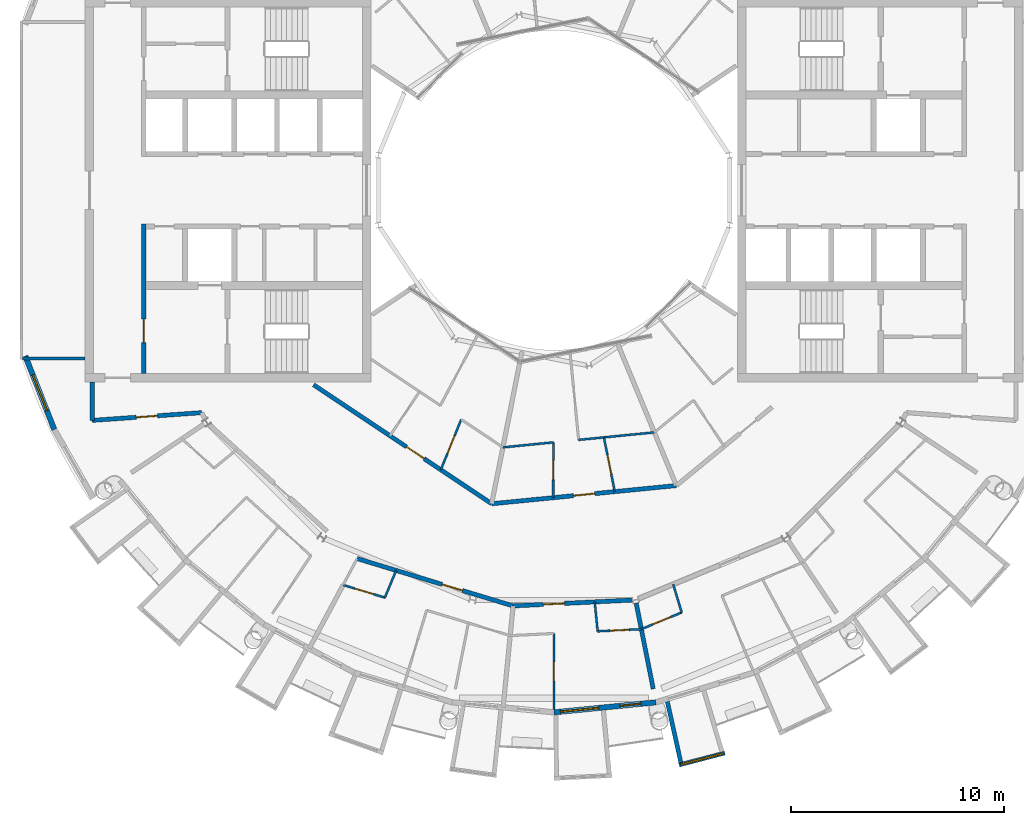
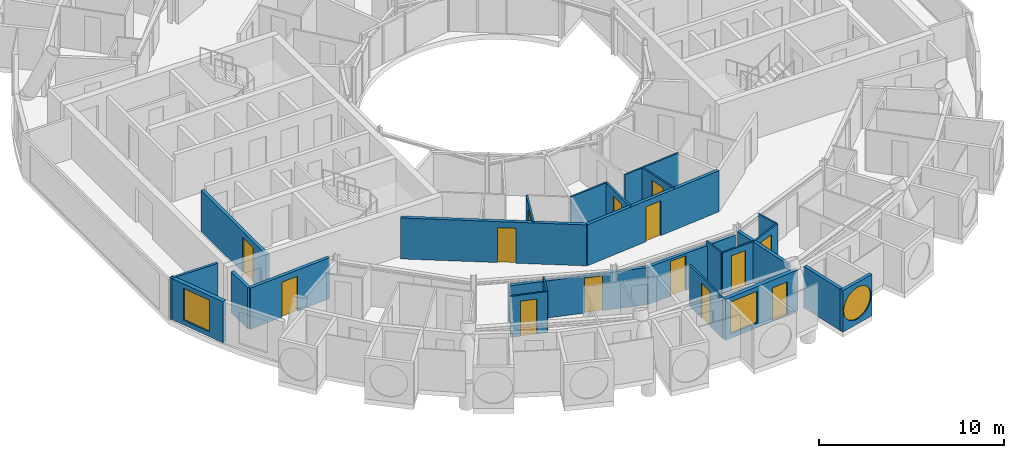
# One storey, part 15 of 27: 25 walls, 14 doors, 3 windows, 17 openings.
"""IFC4 building model written with IfcOpenShell, lengths in metres."""

from ifc_helpers import new_model, si_unit, direction, frame, frame_2d, origin, place, context, subcontext, project, spatial, rectangle, circle, extrude, material, layer, layer_set, type_object, element, fill, save


model = new_model("IFC4")

# Units and contexts
model_context = context("Model", 3, precision=1e-05, world=origin(), true_north=direction((0.0, 1.0)))
body_context = subcontext(model_context, "Body", "Model", "MODEL_VIEW")
ifc_project = project(units=[si_unit("LENGTHUNIT", "METRE"), si_unit("AREAUNIT", "SQUARE_METRE"), si_unit("VOLUMEUNIT", "CUBIC_METRE"), si_unit("PLANEANGLEUNIT", "RADIAN"), si_unit("MASSUNIT", "GRAM", prefix="KILO")], contexts=[model_context])

# Site, building, storey
site_placement = place(None, origin())
site = spatial("IfcSite", under=ifc_project, at=site_placement, CompositionType="ELEMENT")
building_placement = place(site_placement, origin())
building = spatial("IfcBuilding", under=site, at=building_placement, Name="Maasbend Ring Residences", CompositionType="ELEMENT")
storey_placement = place(building_placement, frame((0.0, 0.0, 243.199951171875)))
storey = spatial("IfcBuildingStorey", under=building, at=storey_placement, Name="L70", CompositionType="ELEMENT", Elevation=243.199951171875)

# Wall, opening, door
ifc_material_1 = material(Name="Concrete C30/37", Category="concrete")
ifc_layer_1 = layer(ifc_material_1, 0.199951171875)
ifc_layer_set_1 = layer_set([ifc_layer_1], Name="Concrete C30/37")
wall_type_1 = type_object("IfcWallType", Name="CORRIDOR WALL 200 CONCRETE", PredefinedType="PARTITIONING", material=ifc_layer_set_1)
wall_1_placement = place(storey_placement, frame((-1.9208984375, -19.506103515625, 0.0), z_axis=(0.0, 0.0, 1.0), x_axis=(0.998783562084, 0.049309188909, 0.0)))
wall_1 = element("IfcWall", 1, at=wall_1_placement, inside=storey, type_object=wall_type_1, Name="U-L70-w015", PredefinedType="PARTITIONING", context=body_context, shape_type="SweptSolid", body=[
    extrude(rectangle(XDim=5.599853515625, YDim=0.199951171875, at=frame_2d((2.7998046875, 0.0))), origin(), (0.0, 0.0, 1.0), 2.449951171875),
])
opening_1_placement = place(wall_1_placement, frame((1.4169921875, 0.0, 0.0)))
opening_1 = element("IfcOpeningElement", 2, at=opening_1_placement, cuts=wall_1, Name="Opening D-7041", PredefinedType="OPENING", context=body_context, shape_type="SweptSolid", body=[
    extrude(rectangle(XDim=1.0, YDim=2.300048828125, at=frame_2d((0.5, 1.14990234375))), frame((0.0, 0.10986328125, 0.0), z_axis=(0.0, -1.0, 0.0), x_axis=(1.0, 0.0, 0.0)), (0.0, 0.0, 1.0), 0.219970703125),
])
ifc_material_2 = material(Name="Timber, fire-rated, painted", Category="wood")
door_type_1 = type_object("IfcDoorType", Name="FLAT ENTRANCE DOOR 1000 X 2300 FIRE-RATED", OperationType="NOTDEFINED", PredefinedType="DOOR", material=ifc_material_2)
door_1_placement = place(opening_1_placement, origin())
door_1 = element("IfcDoor", 3, at=door_1_placement, inside=storey, type_object=door_type_1, Name="D-7041", OperationType="SINGLE_SWING_LEFT", OverallHeight=2.300048828125, OverallWidth=1.0, PredefinedType="DOOR", context=body_context, shape_type="SweptSolid", body=[
    extrude(rectangle(XDim=1.0, YDim=2.300048828125, at=frame_2d((0.5, 1.14990234375))), frame((0.0, 0.02490234375, 0.0), z_axis=(0.0, -1.0, 0.0), x_axis=(1.0, 0.0, 0.0)), (0.0, 0.0, 1.0), 0.050048828125),
])
fill(opening_1, door_1)

wall_2_placement = place(storey_placement, frame((-9.239013671875, -17.285888671875, 0.0), z_axis=(0.0, 0.0, 1.0), x_axis=(0.956929842753, -0.290319265721, 0.0)))
wall_2 = element("IfcWall", 4, at=wall_2_placement, inside=storey, type_object=wall_type_1, Name="U-L70-w016", PredefinedType="PARTITIONING", context=body_context, shape_type="SweptSolid", body=[
    extrude(rectangle(XDim=7.6474609375, YDim=0.199951171875, at=frame_2d((3.82373046875, 0.0))), origin(), (0.0, 0.0, 1.0), 2.449951171875),
])
opening_2_placement = place(wall_2_placement, frame((4.160888671875, 0.0, 0.0)))
opening_2 = element("IfcOpeningElement", 5, at=opening_2_placement, cuts=wall_2, Name="Opening D-7037", PredefinedType="OPENING", context=body_context, shape_type="SweptSolid", body=[
    extrude(rectangle(XDim=1.0, YDim=2.300048828125, at=frame_2d((0.5, 1.14990234375))), frame((0.0, 0.10986328125, 0.0), z_axis=(0.0, -1.0, 0.0), x_axis=(1.0, 0.0, 0.0)), (0.0, 0.0, 1.0), 0.219970703125),
])
door_2_placement = place(opening_2_placement, origin())
door_2 = element("IfcDoor", 6, at=door_2_placement, inside=storey, type_object=door_type_1, Name="D-7037", OperationType="SINGLE_SWING_RIGHT", OverallHeight=2.300048828125, OverallWidth=1.0, PredefinedType="DOOR", context=body_context, shape_type="SweptSolid", body=[
    extrude(rectangle(XDim=1.0, YDim=2.300048828125, at=frame_2d((0.5, 1.14990234375))), frame((0.0, 0.02490234375, 0.0), z_axis=(0.0, -1.0, 0.0), x_axis=(1.0, 0.0, 0.0)), (0.0, 0.0, 1.0), 0.050048828125),
])
fill(opening_2, door_2)

wall_3_placement = place(storey_placement, frame((-2.926025390625, -14.712890625, 0.0), z_axis=(0.0, 0.0, 1.0), x_axis=(0.995168443337, 0.098182327264, 0.0)))
wall_3 = element("IfcWall", 7, at=wall_3_placement, inside=storey, type_object=wall_type_1, Name="U-L70-w020", PredefinedType="PARTITIONING", context=body_context, shape_type="SweptSolid", body=[
    extrude(rectangle(XDim=8.7080078125, YDim=0.199951171875, at=frame_2d((4.35400390625, 0.0))), origin(), (0.0, 0.0, 1.0), 2.699951171875),
])
opening_3_placement = place(wall_3_placement, frame((3.85595703125, 0.0, 0.0)))
opening_3 = element("IfcOpeningElement", 8, at=opening_3_placement, cuts=wall_3, Name="Opening D-7056", PredefinedType="OPENING", context=body_context, shape_type="SweptSolid", body=[
    extrude(rectangle(XDim=1.0, YDim=2.300048828125, at=frame_2d((0.5, 1.14990234375))), frame((0.0, 0.10986328125, 0.0), z_axis=(0.0, -1.0, 0.0), x_axis=(1.0, 0.0, 0.0)), (0.0, 0.0, 1.0), 0.219970703125),
])
door_3_placement = place(opening_3_placement, origin())
door_3 = element("IfcDoor", 9, at=door_3_placement, inside=storey, type_object=door_type_1, Name="D-7056", OperationType="SINGLE_SWING_RIGHT", OverallHeight=2.300048828125, OverallWidth=1.0, PredefinedType="DOOR", context=body_context, shape_type="SweptSolid", body=[
    extrude(rectangle(XDim=1.0, YDim=2.300048828125, at=frame_2d((0.5, 1.14990234375))), frame((0.0, 0.02490234375, 0.0), z_axis=(0.0, -1.0, 0.0), x_axis=(1.0, 0.0, 0.0)), (0.0, 0.0, 1.0), 0.050048828125),
])
fill(opening_3, door_3)

wall_4_placement = place(storey_placement, frame((-11.279052734375, -9.131103515625, 0.0), z_axis=(0.0, 0.0, 1.0), x_axis=(0.831522779461, -0.555490654501, 0.0)))
wall_4 = element("IfcWall", 10, at=wall_4_placement, inside=storey, type_object=wall_type_1, Name="U-L70-w022", PredefinedType="PARTITIONING", context=body_context, shape_type="SweptSolid", body=[
    extrude(rectangle(XDim=10.046630859375, YDim=0.199951171875, at=frame_2d((5.0234375, 0.0))), origin(), (0.0, 0.0, 1.0), 2.699951171875),
])
opening_4_placement = place(wall_4_placement, frame((5.239013671875, 0.0, 0.0)))
opening_4 = element("IfcOpeningElement", 11, at=opening_4_placement, cuts=wall_4, Name="Opening D-7052", PredefinedType="OPENING", context=body_context, shape_type="SweptSolid", body=[
    extrude(rectangle(XDim=1.0, YDim=2.300048828125, at=frame_2d((0.5, 1.14990234375))), frame((0.0, 0.10986328125, 0.0), z_axis=(0.0, -1.0, 0.0), x_axis=(1.0, 0.0, 0.0)), (0.0, 0.0, 1.0), 0.219970703125),
])
door_4_placement = place(opening_4_placement, origin())
door_4 = element("IfcDoor", 12, at=door_4_placement, inside=storey, type_object=door_type_1, Name="D-7052", OperationType="SINGLE_SWING_RIGHT", OverallHeight=2.300048828125, OverallWidth=1.0, PredefinedType="DOOR", context=body_context, shape_type="SweptSolid", body=[
    extrude(rectangle(XDim=1.0, YDim=2.300048828125, at=frame_2d((0.5, 1.14990234375))), frame((0.0, 0.02490234375, 0.0), z_axis=(0.0, -1.0, 0.0), x_axis=(1.0, 0.0, 0.0)), (0.0, 0.0, 1.0), 0.050048828125),
])
fill(opening_4, door_4)

wall_5_placement = place(storey_placement, frame((-21.675048828125, -10.800048828125, 0.0), z_axis=(0.0, 0.0, 1.0), x_axis=(0.997515141784, 0.070452408845, 0.0)))
wall_5 = element("IfcWall", 13, at=wall_5_placement, inside=storey, type_object=wall_type_1, Name="U-L70-w029", PredefinedType="PARTITIONING", context=body_context, shape_type="SweptSolid", body=[
    extrude(rectangle(XDim=5.15283203125, YDim=0.199951171875, at=frame_2d((2.576416015625, 0.0))), origin(), (0.0, 0.0, 1.0), 2.699951171875),
])
opening_5_placement = place(wall_5_placement, frame((2.075927734375, 0.0, 0.0)))
opening_5 = element("IfcOpeningElement", 14, at=opening_5_placement, cuts=wall_5, Name="Opening D-7063", PredefinedType="OPENING", context=body_context, shape_type="SweptSolid", body=[
    extrude(rectangle(XDim=1.0, YDim=2.300048828125, at=frame_2d((0.5, 1.14990234375))), frame((0.0, 0.10986328125, 0.0), z_axis=(0.0, -1.0, 0.0), x_axis=(1.0, 0.0, 0.0)), (0.0, 0.0, 1.0), 0.219970703125),
])
ifc_material_3 = material(Name="Timber, painted", Category="wood")
door_type_2 = type_object("IfcDoorType", Name="ROOM DOOR 1000 X 2300", OperationType="NOTDEFINED", PredefinedType="DOOR", material=ifc_material_3)
door_5_placement = place(opening_5_placement, origin())
door_5 = element("IfcDoor", 15, at=door_5_placement, inside=storey, type_object=door_type_2, Name="D-7063", OperationType="SINGLE_SWING_RIGHT", OverallHeight=2.300048828125, OverallWidth=1.0, PredefinedType="DOOR", context=body_context, shape_type="SweptSolid", body=[
    extrude(rectangle(XDim=1.0, YDim=2.300048828125, at=frame_2d((0.5, 1.14990234375))), frame((0.0, 0.02490234375, 0.0), z_axis=(0.0, -1.0, 0.0), x_axis=(1.0, 0.0, 0.0)), (0.0, 0.0, 1.0), 0.050048828125),
])
fill(opening_5, door_5)

# Wall
wall_6_placement = place(storey_placement, frame((-21.675048828125, -10.800048828125, 0.0), z_axis=(0.0, 0.0, 1.0), x_axis=(0.0, 1.0, 0.0)))
element("IfcWall", 16, at=wall_6_placement, inside=storey, type_object=wall_type_1, Name="U-L70-w125", PredefinedType="PARTITIONING", context=body_context, shape_type="SweptSolid", body=[
    extrude(rectangle(XDim=1.800048828125, YDim=0.199951171875, at=frame_2d((0.89990234375, 0.0))), origin(), (0.0, 0.0, 1.0), 2.699951171875),
])

# Wall, opening, window
ifc_material_4 = material(Name="Pale anodised aluminium panel", Category="aluminium")
ifc_layer_2 = layer(ifc_material_4, 0.199951171875)
ifc_layer_set_2 = layer_set([ifc_layer_2], Name="EW-BOX")
wall_type_2 = type_object("IfcWallType", Name="EW-BOX", PredefinedType="SOLIDWALL", material=ifc_layer_set_2)
wall_7_placement = place(storey_placement, frame((5.865966796875, -26.969970703125, -0.030029296875), z_axis=(0.0, 0.0, 1.0), x_axis=(0.967710555359, 0.252064041557, 0.0)))
wall_7 = element("IfcWall", 17, at=wall_7_placement, inside=storey, type_object=wall_type_2, Name="Box front S13", PredefinedType="SOLIDWALL", context=body_context, shape_type="SweptSolid", body=[
    extrude(rectangle(XDim=2.221923828125, YDim=0.199951171875, at=frame_2d((1.11083984375, 0.0))), origin(), (0.0, 0.0, 1.0), 2.72998046875),
])
opening_6_placement = place(wall_7_placement, frame((0.070556640625, 0.0, 0.330078125)))
opening_6 = element("IfcOpeningElement", 18, at=opening_6_placement, cuts=wall_7, Name="Opening W-RD", PredefinedType="OPENING", context=body_context, shape_type="SweptSolid", body=[
    extrude(circle(Radius=1.0400390625, at=frame_2d((1.0400390625, 1.0400390625))), frame((0.0, 0.10986328125, 0.0), z_axis=(0.0, -1.0, 0.0), x_axis=(1.0, 0.0, 0.0)), (0.0, 0.0, 1.0), 0.219970703125),
])
ifc_material_5 = material(Name="Aluminium and clear glass", Category="aluminium")
window_type_1 = type_object("IfcWindowType", Name="W-RD", PartitioningType="SINGLE_PANEL", PredefinedType="WINDOW", material=ifc_material_5)
window_1_placement = place(opening_6_placement, origin())
window_1 = element("IfcWindow", 19, at=window_1_placement, inside=storey, type_object=window_type_1, Name="Round window S13", OverallHeight=2.080078125, OverallWidth=2.080078125, PartitioningType="SINGLE_PANEL", PredefinedType="WINDOW", context=body_context, shape_type="SweptSolid", body=[
    extrude(circle(Radius=1.0400390625, at=frame_2d((1.0400390625, 1.0400390625))), frame((0.0, 0.030029296875, 0.0), z_axis=(0.0, -1.0, 0.0), x_axis=(1.0, 0.0, 0.0)), (0.0, 0.0, 1.0), 0.06005859375),
])
fill(opening_6, window_1)

# Wall
wall_8_placement = place(storey_placement, frame((5.31396484375, -23.998046875, -0.030029296875), z_axis=(0.0, 0.0, 1.0), x_axis=(0.216443576636, -0.976295128603, 0.0)))
element("IfcWall", 20, at=wall_8_placement, inside=storey, type_object=wall_type_2, Name="Box side wall S13 left", PredefinedType="SOLIDWALL", context=body_context, shape_type="SweptSolid", body=[
    extrude(rectangle(XDim=2.92041015625, YDim=0.199951171875, at=frame_2d((1.460205078125, 0.0))), origin(), (0.0, 0.0, 1.0), 2.72998046875),
])

# Wall, openings, door, window
ifc_material_6 = material(Name="Aluminium clad insulated panel", Category="aluminium")
ifc_layer_3 = layer(ifc_material_6, 0.25)
ifc_layer_set_3 = layer_set([ifc_layer_3], Name="EW-GL")
wall_type_3 = type_object("IfcWallType", Name="EW-GL", PredefinedType="SOLIDWALL", material=ifc_layer_set_3)
wall_9_placement = place(storey_placement, frame((0.0, -24.5, 0.0), z_axis=(0.0, 0.0, 1.0), x_axis=(0.995181568754, 0.098049197923, 0.0)))
wall_9 = element("IfcWall", 21, at=wall_9_placement, inside=storey, type_object=wall_type_3, Name="External wall S06", PredefinedType="SOLIDWALL", context=body_context, shape_type="SweptSolid", body=[
    extrude(rectangle(XDim=4.80322265625, YDim=0.25, at=frame_2d((2.401611328125, 0.0))), origin(), (0.0, 0.0, 1.0), 2.699951171875),
])
opening_7_placement = place(wall_9_placement, frame((0.3037109375, 0.0, 0.300048828125)))
opening_7 = element("IfcOpeningElement", 22, at=opening_7_placement, cuts=wall_9, Name="Opening W-BX", PredefinedType="OPENING", context=body_context, shape_type="SweptSolid", body=[
    extrude(rectangle(XDim=1.800048828125, YDim=2.10009765625, at=frame_2d((0.89990234375, 1.050048828125))), frame((0.0, 0.135009765625, 0.0), z_axis=(0.0, -1.0, 0.0), x_axis=(1.0, 0.0, 0.0)), (0.0, 0.0, 1.0), 0.27001953125),
])
opening_8_placement = place(wall_9_placement, frame((3.09912109375, 0.0, 0.0)))
opening_8 = element("IfcOpeningElement", 23, at=opening_8_placement, cuts=wall_9, Name="Opening D-LG", PredefinedType="OPENING", context=body_context, shape_type="SweptSolid", body=[
    extrude(rectangle(XDim=1.0, YDim=2.199951171875, at=frame_2d((0.5, 1.10009765625))), frame((0.0, 0.135009765625, 0.0), z_axis=(0.0, -1.0, 0.0), x_axis=(1.0, 0.0, 0.0)), (0.0, 0.0, 1.0), 0.27001953125),
])
ifc_material_7 = material(Name="Aluminium and clear glass", Category="aluminium")
door_type_3 = type_object("IfcDoorType", Name="D-LG", OperationType="SINGLE_SWING_LEFT", PredefinedType="DOOR", material=ifc_material_7)
door_6_placement = place(opening_8_placement, origin())
door_6 = element("IfcDoor", 24, at=door_6_placement, inside=storey, type_object=door_type_3, Name="Loggia door S12", OperationType="SINGLE_SWING_LEFT", OverallHeight=2.199951171875, OverallWidth=1.0, PredefinedType="DOOR", context=body_context, shape_type="SweptSolid", body=[
    extrude(rectangle(XDim=1.0, YDim=2.199951171875, at=frame_2d((0.5, 1.10009765625))), frame((0.0, 0.02490234375, 0.0), z_axis=(0.0, -1.0, 0.0), x_axis=(1.0, 0.0, 0.0)), (0.0, 0.0, 1.0), 0.050048828125),
])
fill(opening_8, door_6)
ifc_material_8 = material(Name="Aluminium and clear glass", Category="aluminium")
window_type_2 = type_object("IfcWindowType", Name="W-BX", PartitioningType="DOUBLE_PANEL_VERTICAL", PredefinedType="WINDOW", material=ifc_material_8)
window_2_placement = place(opening_7_placement, origin())
window_2 = element("IfcWindow", 25, at=window_2_placement, inside=storey, type_object=window_type_2, Name="Window S11 room to box", OverallHeight=2.10009765625, OverallWidth=1.800048828125, PartitioningType="SINGLE_PANEL", PredefinedType="WINDOW", context=body_context, shape_type="SweptSolid", body=[
    extrude(rectangle(XDim=1.800048828125, YDim=2.10009765625, at=frame_2d((0.89990234375, 1.050048828125))), frame((0.0, 0.030029296875, 0.0), z_axis=(0.0, -1.0, 0.0), x_axis=(1.0, 0.0, 0.0)), (0.0, 0.0, 1.0), 0.06005859375),
])
fill(opening_7, window_2)

# Wall, opening, window
ifc_material_9 = material(Name="Aluminium clad insulated panel", Category="aluminium")
ifc_layer_4 = layer(ifc_material_9, 0.25)
ifc_layer_set_4 = layer_set([ifc_layer_4], Name="EW-HORN")
wall_type_4 = type_object("IfcWallType", Name="EW-HORN", PredefinedType="SOLIDWALL", material=ifc_layer_set_4)
wall_10_placement = place(storey_placement, frame((-24.80908203125, -7.779052734375, 0.0), z_axis=(0.0, 0.0, 1.0), x_axis=(0.366351636034, -0.930476479432, 0.0)))
wall_10 = element("IfcWall", 26, at=wall_10_placement, inside=storey, type_object=wall_type_4, Name="Horn wall 3.1", PredefinedType="SOLIDWALL", context=body_context, shape_type="SweptSolid", body=[
    extrude(rectangle(XDim=3.70458984375, YDim=0.25, at=frame_2d((1.852294921875, 0.0))), origin(), (0.0, 0.0, 1.0), 2.699951171875),
])
opening_9_placement = place(wall_10_placement, frame((0.952392578125, 0.0, 0.300048828125)))
opening_9 = element("IfcOpeningElement", 27, at=opening_9_placement, cuts=wall_10, Name="Opening W-BX", PredefinedType="OPENING", context=body_context, shape_type="SweptSolid", body=[
    extrude(rectangle(XDim=1.800048828125, YDim=2.10009765625, at=frame_2d((0.89990234375, 1.050048828125))), frame((0.0, 0.135009765625, 0.0), z_axis=(0.0, -1.0, 0.0), x_axis=(1.0, 0.0, 0.0)), (0.0, 0.0, 1.0), 0.27001953125),
])
window_3_placement = place(opening_9_placement, origin())
window_3 = element("IfcWindow", 28, at=window_3_placement, inside=storey, type_object=window_type_2, Name="Horn window 3.1", OverallHeight=2.10009765625, OverallWidth=1.800048828125, PartitioningType="SINGLE_PANEL", PredefinedType="WINDOW", context=body_context, shape_type="SweptSolid", body=[
    extrude(rectangle(XDim=1.800048828125, YDim=2.10009765625, at=frame_2d((0.89990234375, 1.050048828125))), frame((0.0, 0.030029296875, 0.0), z_axis=(0.0, -1.0, 0.0), x_axis=(1.0, 0.0, 0.0)), (0.0, 0.0, 1.0), 0.06005859375),
])
fill(opening_9, window_3)

# Wall, opening, door
ifc_material_10 = material(Name="Gypsum board on steel studs", Category="steel")
ifc_layer_5 = layer(ifc_material_10, 0.10009765625)
ifc_layer_set_5 = layer_set([ifc_layer_5], Name="PARTITION 100 GYPSUM")
wall_type_5 = type_object("IfcWallType", Name="PARTITION 100 GYPSUM", PredefinedType="PARTITIONING", material=ifc_layer_set_5)
wall_11_placement = place(storey_placement, frame((2.044921875, -20.697021484375, 0.0), z_axis=(0.0, 0.0, 1.0), x_axis=(0.998789106726, 0.049196750766, 0.0)))
wall_11 = element("IfcWall", 29, at=wall_11_placement, inside=storey, type_object=wall_type_5, Name="U-L70-w004", PredefinedType="PARTITIONING", context=body_context, shape_type="SweptSolid", body=[
    extrude(rectangle(XDim=2.054443359375, YDim=0.10009765625, at=frame_2d((1.02734375, 0.0))), origin(), (0.0, 0.0, 1.0), 2.699951171875),
])
opening_10_placement = place(wall_11_placement, frame((0.576904296875, 0.0, 0.0)))
opening_10 = element("IfcOpeningElement", 30, at=opening_10_placement, cuts=wall_11, Name="Opening D-7042", PredefinedType="OPENING", context=body_context, shape_type="SweptSolid", body=[
    extrude(rectangle(XDim=0.89990234375, YDim=2.300048828125, at=frame_2d((0.449951171875, 1.14990234375))), frame((0.0, 0.06005859375, 0.0), z_axis=(0.0, -1.0, 0.0), x_axis=(1.0, 0.0, 0.0)), (0.0, 0.0, 1.0), 0.1201171875),
])
ifc_material_11 = material(Name="Timber, painted", Category="wood")
door_type_4 = type_object("IfcDoorType", Name="INTERNAL DOOR 900 X 2300", OperationType="NOTDEFINED", PredefinedType="DOOR", material=ifc_material_11)
door_7_placement = place(opening_10_placement, origin())
door_7 = element("IfcDoor", 31, at=door_7_placement, inside=storey, type_object=door_type_4, Name="D-7042", OperationType="SINGLE_SWING_LEFT", OverallHeight=2.300048828125, OverallWidth=0.89990234375, PredefinedType="DOOR", context=body_context, shape_type="SweptSolid", body=[
    extrude(rectangle(XDim=0.89990234375, YDim=2.300048828125, at=frame_2d((0.449951171875, 1.14990234375))), frame((0.0, 0.02490234375, 0.0), z_axis=(0.0, -1.0, 0.0), x_axis=(1.0, 0.0, 0.0)), (0.0, 0.0, 1.0), 0.050048828125),
])
fill(opening_10, door_7)

wall_12_placement = place(storey_placement, frame((-9.89306640625, -18.52294921875, 0.0), z_axis=(0.0, 0.0, 1.0), x_axis=(0.957015380529, -0.2900371725, 0.0)))
wall_12 = element("IfcWall", 32, at=wall_12_placement, inside=storey, type_object=wall_type_5, Name="U-L70-w005", PredefinedType="PARTITIONING", context=body_context, shape_type="SweptSolid", body=[
    extrude(rectangle(XDim=2.048095703125, YDim=0.10009765625, at=frame_2d((1.02392578125, 0.0))), origin(), (0.0, 0.0, 1.0), 2.699951171875),
])
opening_11_placement = place(wall_12_placement, frame((0.568115234375, 0.0, 0.0)))
opening_11 = element("IfcOpeningElement", 33, at=opening_11_placement, cuts=wall_12, Name="Opening D-7038", PredefinedType="OPENING", context=body_context, shape_type="SweptSolid", body=[
    extrude(rectangle(XDim=0.89990234375, YDim=2.300048828125, at=frame_2d((0.449951171875, 1.14990234375))), frame((0.0, 0.06005859375, 0.0), z_axis=(0.0, -1.0, 0.0), x_axis=(1.0, 0.0, 0.0)), (0.0, 0.0, 1.0), 0.1201171875),
])
door_8_placement = place(opening_11_placement, origin())
door_8 = element("IfcDoor", 34, at=door_8_placement, inside=storey, type_object=door_type_4, Name="D-7038", OperationType="SINGLE_SWING_LEFT", OverallHeight=2.300048828125, OverallWidth=0.89990234375, PredefinedType="DOOR", context=body_context, shape_type="SweptSolid", body=[
    extrude(rectangle(XDim=0.89990234375, YDim=2.300048828125, at=frame_2d((0.449951171875, 1.14990234375))), frame((0.0, 0.02490234375, 0.0), z_axis=(0.0, -1.0, 0.0), x_axis=(1.0, 0.0, 0.0)), (0.0, 0.0, 1.0), 0.050048828125),
])
fill(opening_11, door_8)

wall_13_placement = place(storey_placement, frame((4.096923828125, -20.595947265625, 0.0), z_axis=(0.0, 0.0, 1.0), x_axis=(0.924012474812, 0.382362323448, 0.0)))
wall_13 = element("IfcWall", 35, at=wall_13_placement, inside=storey, type_object=wall_type_5, Name="U-L70-w007", PredefinedType="PARTITIONING", context=body_context, shape_type="SweptSolid", body=[
    extrude(rectangle(XDim=2.047607421875, YDim=0.10009765625, at=frame_2d((1.02392578125, 0.0))), origin(), (0.0, 0.0, 1.0), 2.699951171875),
])
opening_12_placement = place(wall_13_placement, frame((0.573974609375, 0.0, 0.0)))
opening_12 = element("IfcOpeningElement", 36, at=opening_12_placement, cuts=wall_13, Name="Opening D-7045", PredefinedType="OPENING", context=body_context, shape_type="SweptSolid", body=[
    extrude(rectangle(XDim=0.89990234375, YDim=2.300048828125, at=frame_2d((0.449951171875, 1.14990234375))), frame((0.0, 0.06005859375, 0.0), z_axis=(0.0, -1.0, 0.0), x_axis=(1.0, 0.0, 0.0)), (0.0, 0.0, 1.0), 0.1201171875),
])
door_9_placement = place(opening_12_placement, origin())
door_9 = element("IfcDoor", 37, at=door_9_placement, inside=storey, type_object=door_type_4, Name="D-7045", OperationType="SINGLE_SWING_LEFT", OverallHeight=2.300048828125, OverallWidth=0.89990234375, PredefinedType="DOOR", context=body_context, shape_type="SweptSolid", body=[
    extrude(rectangle(XDim=0.89990234375, YDim=2.300048828125, at=frame_2d((0.449951171875, 1.14990234375))), frame((0.0, 0.02490234375, 0.0), z_axis=(0.0, -1.0, 0.0), x_axis=(1.0, 0.0, 0.0)), (0.0, 0.0, 1.0), 0.050048828125),
])
fill(opening_12, door_9)

# Walls
wall_14_placement = place(storey_placement, frame((-2.39892578125, -12.06494140625, 0.0), z_axis=(0.0, 0.0, 1.0), x_axis=(0.995161308804, 0.098254615463, 0.0)))
element("IfcWall", 38, at=wall_14_placement, inside=storey, type_object=wall_type_5, Name="U-L70-w023", PredefinedType="PARTITIONING", context=body_context, shape_type="SweptSolid", body=[
    extrude(rectangle(XDim=2.38037109375, YDim=0.10009765625, at=frame_2d((1.190185546875, 0.0))), origin(), (0.0, 0.0, 1.0), 2.699951171875),
])
wall_15_placement = place(storey_placement, frame((1.154052734375, -11.714111328125, 0.0), z_axis=(0.0, 0.0, 1.0), x_axis=(0.995140096511, 0.098469225223, 0.0)))
element("IfcWall", 39, at=wall_15_placement, inside=storey, type_object=wall_type_5, Name="U-L70-w024", PredefinedType="PARTITIONING", context=body_context, shape_type="SweptSolid", body=[
    extrude(rectangle(XDim=3.5751953125, YDim=0.10009765625, at=frame_2d((1.78759765625, 0.0))), origin(), (0.0, 0.0, 1.0), 2.699951171875),
])
wall_16_placement = place(storey_placement, frame((-7.93896484375, -19.114990234375, 0.0), z_axis=(0.0, 0.0, 1.0), x_axis=(0.383534338408, 0.923526616434, 0.0)))
element("IfcWall", 40, at=wall_16_placement, inside=storey, type_object=wall_type_5, Name="U-L70-w047", PredefinedType="PARTITIONING", context=body_context, shape_type="SweptSolid", body=[
    extrude(rectangle(XDim=1.37939453125, YDim=0.10009765625, at=frame_2d((0.689697265625, 0.0))), origin(), (0.0, 0.0, 1.0), 2.699951171875),
])

# Wall, opening, door
wall_17_placement = place(storey_placement, frame((-5.31298828125, -13.116943359375, 0.0), z_axis=(0.0, 0.0, 1.0), x_axis=(0.375682862795, 0.926748286538, 0.0)))
wall_17 = element("IfcWall", 41, at=wall_17_placement, inside=storey, type_object=wall_type_5, Name="U-L70-w054", PredefinedType="PARTITIONING", context=body_context, shape_type="SweptSolid", body=[
    extrude(rectangle(XDim=2.54736328125, YDim=0.10009765625, at=frame_2d((1.273681640625, 0.0))), origin(), (0.0, 0.0, 1.0), 2.699951171875),
])
opening_13_placement = place(wall_17_placement, frame((0.823974609375, 0.0, 0.0)))
opening_13 = element("IfcOpeningElement", 42, at=opening_13_placement, cuts=wall_17, Name="Opening D-7053", PredefinedType="OPENING", context=body_context, shape_type="SweptSolid", body=[
    extrude(rectangle(XDim=0.89990234375, YDim=2.300048828125, at=frame_2d((0.449951171875, 1.14990234375))), frame((0.0, 0.06005859375, 0.0), z_axis=(0.0, -1.0, 0.0), x_axis=(1.0, 0.0, 0.0)), (0.0, 0.0, 1.0), 0.1201171875),
])
door_10_placement = place(opening_13_placement, origin())
door_10 = element("IfcDoor", 43, at=door_10_placement, inside=storey, type_object=door_type_4, Name="D-7053", OperationType="SINGLE_SWING_RIGHT", OverallHeight=2.300048828125, OverallWidth=0.89990234375, PredefinedType="DOOR", context=body_context, shape_type="SweptSolid", body=[
    extrude(rectangle(XDim=0.89990234375, YDim=2.300048828125, at=frame_2d((0.449951171875, 1.14990234375))), frame((0.0, 0.02490234375, 0.0), z_axis=(0.0, -1.0, 0.0), x_axis=(1.0, 0.0, 0.0)), (0.0, 0.0, 1.0), 0.050048828125),
])
fill(opening_13, door_10)

wall_18_placement = place(storey_placement, frame((-0.037109375, -14.427001953125, 0.0), z_axis=(0.0, 0.0, 1.0), x_axis=(0.002350280244, 0.999997238088, 0.0)))
wall_18 = element("IfcWall", 44, at=wall_18_placement, inside=storey, type_object=wall_type_5, Name="U-L70-w061", PredefinedType="PARTITIONING", context=body_context, shape_type="SweptSolid", body=[
    extrude(rectangle(XDim=2.596923828125, YDim=0.10009765625, at=frame_2d((1.29833984375, 0.0))), origin(), (0.0, 0.0, 1.0), 2.699951171875),
])
opening_14_placement = place(wall_18_placement, frame((0.84912109375, 0.0, 0.0)))
opening_14 = element("IfcOpeningElement", 45, at=opening_14_placement, cuts=wall_18, Name="Opening D-7057", PredefinedType="OPENING", context=body_context, shape_type="SweptSolid", body=[
    extrude(rectangle(XDim=0.89990234375, YDim=2.300048828125, at=frame_2d((0.449951171875, 1.14990234375))), frame((0.0, 0.06005859375, 0.0), z_axis=(0.0, -1.0, 0.0), x_axis=(1.0, 0.0, 0.0)), (0.0, 0.0, 1.0), 0.1201171875),
])
door_11_placement = place(opening_14_placement, origin())
door_11 = element("IfcDoor", 46, at=door_11_placement, inside=storey, type_object=door_type_4, Name="D-7057", OperationType="SINGLE_SWING_LEFT", OverallHeight=2.300048828125, OverallWidth=0.89990234375, PredefinedType="DOOR", context=body_context, shape_type="SweptSolid", body=[
    extrude(rectangle(XDim=0.89990234375, YDim=2.300048828125, at=frame_2d((0.449951171875, 1.14990234375))), frame((0.0, 0.02490234375, 0.0), z_axis=(0.0, -1.0, 0.0), x_axis=(1.0, 0.0, 0.0)), (0.0, 0.0, 1.0), 0.050048828125),
])
fill(opening_14, door_11)

wall_19_placement = place(storey_placement, frame((-0.008056640625, -24.375, 0.0), z_axis=(0.0, 0.0, 1.0), x_axis=(0.000273018896, 0.99999996273, 0.0)))
wall_19 = element("IfcWall", 47, at=wall_19_placement, inside=storey, type_object=wall_type_5, Name="U-L70-w063", PredefinedType="PARTITIONING", context=body_context, shape_type="SweptSolid", body=[
    extrude(rectangle(XDim=3.576904296875, YDim=0.10009765625, at=frame_2d((1.78857421875, 0.0))), origin(), (0.0, 0.0, 1.0), 2.699951171875),
])
opening_15_placement = place(wall_19_placement, frame((1.339111328125, 0.0, 0.0)))
opening_15 = element("IfcOpeningElement", 48, at=opening_15_placement, cuts=wall_19, Name="Opening D-7043", PredefinedType="OPENING", context=body_context, shape_type="SweptSolid", body=[
    extrude(rectangle(XDim=0.89990234375, YDim=2.300048828125, at=frame_2d((0.449951171875, 1.14990234375))), frame((0.0, 0.06005859375, 0.0), z_axis=(0.0, -1.0, 0.0), x_axis=(1.0, 0.0, 0.0)), (0.0, 0.0, 1.0), 0.1201171875),
])
door_12_placement = place(opening_15_placement, origin())
door_12 = element("IfcDoor", 49, at=door_12_placement, inside=storey, type_object=door_type_4, Name="D-7043", OperationType="SINGLE_SWING_LEFT", OverallHeight=2.300048828125, OverallWidth=0.89990234375, PredefinedType="DOOR", context=body_context, shape_type="SweptSolid", body=[
    extrude(rectangle(XDim=0.89990234375, YDim=2.300048828125, at=frame_2d((0.449951171875, 1.14990234375))), frame((0.0, 0.02490234375, 0.0), z_axis=(0.0, -1.0, 0.0), x_axis=(1.0, 0.0, 0.0)), (0.0, 0.0, 1.0), 0.050048828125),
])
fill(opening_15, door_12)

wall_20_placement = place(storey_placement, frame((2.337890625, -11.596923828125, 0.0), z_axis=(0.0, 0.0, 1.0), x_axis=(0.197580088655, -0.980286748134, 0.0)))
wall_20 = element("IfcWall", 50, at=wall_20_placement, inside=storey, type_object=wall_type_5, Name="U-L70-w067", PredefinedType="PARTITIONING", context=body_context, shape_type="SweptSolid", body=[
    extrude(rectangle(XDim=2.597412109375, YDim=0.10009765625, at=frame_2d((1.298828125, 0.0))), origin(), (0.0, 0.0, 1.0), 2.699951171875),
])
opening_16_placement = place(wall_20_placement, frame((0.84912109375, 0.0, 0.0)))
opening_16 = element("IfcOpeningElement", 51, at=opening_16_placement, cuts=wall_20, Name="Opening D-7058", PredefinedType="OPENING", context=body_context, shape_type="SweptSolid", body=[
    extrude(rectangle(XDim=0.89990234375, YDim=2.300048828125, at=frame_2d((0.449951171875, 1.14990234375))), frame((0.0, 0.06005859375, 0.0), z_axis=(0.0, -1.0, 0.0), x_axis=(1.0, 0.0, 0.0)), (0.0, 0.0, 1.0), 0.1201171875),
])
door_13_placement = place(opening_16_placement, origin())
door_13 = element("IfcDoor", 52, at=door_13_placement, inside=storey, type_object=door_type_4, Name="D-7058", OperationType="SINGLE_SWING_LEFT", OverallHeight=2.300048828125, OverallWidth=0.89990234375, PredefinedType="DOOR", context=body_context, shape_type="SweptSolid", body=[
    extrude(rectangle(XDim=0.89990234375, YDim=2.300048828125, at=frame_2d((0.449951171875, 1.14990234375))), frame((0.0, 0.02490234375, 0.0), z_axis=(0.0, -1.0, 0.0), x_axis=(1.0, 0.0, 0.0)), (0.0, 0.0, 1.0), 0.050048828125),
])
fill(opening_16, door_13)

# Walls
wall_21_placement = place(storey_placement, frame((5.590087890625, -18.491943359375, 0.0), z_axis=(0.0, 0.0, 1.0), x_axis=(0.289084131919, -0.957303695111, 0.0)))
element("IfcWall", 53, at=wall_21_placement, inside=storey, type_object=wall_type_5, Name="U-L70-w075", PredefinedType="PARTITIONING", context=body_context, shape_type="SweptSolid", body=[
    extrude(rectangle(XDim=1.3798828125, YDim=0.10009765625, at=frame_2d((0.68994140625, 0.0))), origin(), (0.0, 0.0, 1.0), 2.699951171875),
])
wall_22_placement = place(storey_placement, frame((1.908935546875, -19.31689453125, 0.0), z_axis=(0.0, 0.0, 1.0), x_axis=(0.098056909707, -0.995180808928, 0.0)))
element("IfcWall", 54, at=wall_22_placement, inside=storey, type_object=wall_type_5, Name="U-L70-w094", PredefinedType="PARTITIONING", context=body_context, shape_type="SweptSolid", body=[
    extrude(rectangle(XDim=1.38671875, YDim=0.10009765625, at=frame_2d((0.693359375, 0.0))), origin(), (0.0, 0.0, 1.0), 2.699951171875),
])
ifc_material_12 = material(Name="Gypsum board on steel studs", Category="steel")
ifc_layer_6 = layer(ifc_material_12, 0.14990234375)
ifc_layer_set_6 = layer_set([ifc_layer_6], Name="PARTITION 150 EI 60")
wall_type_6 = type_object("IfcWallType", Name="PARTITION 150 EI 60", PredefinedType="PARTITIONING", material=ifc_layer_set_6)
wall_23_placement = place(storey_placement, frame((-22.0, -7.89990234375, 0.0), z_axis=(0.0, 0.0, 1.0), x_axis=(-1.0, 0.0, 0.0)))
element("IfcWall", 55, at=wall_23_placement, inside=storey, type_object=wall_type_6, Name="L70 core W wall CITN", PredefinedType="PARTITIONING", context=body_context, shape_type="SweptSolid", body=[
    extrude(rectangle(XDim=2.93994140625, YDim=0.14990234375, at=frame_2d((1.469970703125, 0.0))), origin(), (0.0, 0.0, 1.0), 2.699951171875),
])
ifc_material_13 = material(Name="Concrete C30/37", Category="concrete")
ifc_layer_7 = layer(ifc_material_13, 0.199951171875)
ifc_layer_set_7 = layer_set([ifc_layer_7], Name="Concrete C30/37")
wall_type_7 = type_object("IfcWallType", Name="PARTY WALL 200 CONCRETE", PredefinedType="PARTITIONING", material=ifc_layer_set_7)
wall_24_placement = place(storey_placement, frame((3.85302734375, -19.3701171875, 0.0), z_axis=(0.0, 0.0, 1.0), x_axis=(0.195144997835, -0.980774403122, 0.0)))
element("IfcWall", 56, at=wall_24_placement, inside=storey, type_object=wall_type_7, Name="U-L70-w071", PredefinedType="PARTITIONING", context=body_context, shape_type="SweptSolid", body=[
    extrude(rectangle(XDim=4.10986328125, YDim=0.199951171875, at=frame_2d((2.054931640625, 0.0))), origin(), (0.0, 0.0, 1.0), 2.699951171875),
])

# Wall, opening, door
ifc_material_14 = material(Name="Concrete C30/37", Category="concrete")
ifc_layer_8 = layer(ifc_material_14, 0.199951171875)
ifc_layer_set_8 = layer_set([ifc_layer_8], Name="Concrete C30/37")
wall_type_8 = type_object("IfcWallType", Name="SHAFT WALL 200 EI 120", PredefinedType="SOLIDWALL", material=ifc_layer_set_8)
wall_25_placement = place(storey_placement, frame((-19.25, -1.574951171875, 0.0), z_axis=(0.0, 0.0, 1.0), x_axis=(0.0, -1.0, 0.0)))
wall_25 = element("IfcWall", 57, at=wall_25_placement, inside=storey, type_object=wall_type_8, Name="L70 core W wall ENDN", PredefinedType="SOLIDWALL", context=body_context, shape_type="SweptSolid", body=[
    extrude(rectangle(XDim=7.025146484375, YDim=0.199951171875, at=frame_2d((3.5126953125, 0.0))), origin(), (0.0, 0.0, 1.0), 2.699951171875),
])
opening_17_placement = place(wall_25_placement, frame((4.47509765625, 0.0, 0.0)))
opening_17 = element("IfcOpeningElement", 58, at=opening_17_placement, cuts=wall_25, Name="Opening D-W7013", PredefinedType="OPENING", context=body_context, shape_type="SweptSolid", body=[
    extrude(rectangle(XDim=1.10009765625, YDim=2.300048828125, at=frame_2d((0.550048828125, 1.14990234375))), frame((0.0, 0.10986328125, 0.0), z_axis=(0.0, -1.0, 0.0), x_axis=(1.0, 0.0, 0.0)), (0.0, 0.0, 1.0), 0.219970703125),
])
ifc_material_15 = material(Name="Steel, powder coated", Category="steel")
door_type_5 = type_object("IfcDoorType", Name="LOBBY DOOR 1100 X 2300 FD60", OperationType="NOTDEFINED", PredefinedType="DOOR", material=ifc_material_15)
door_14_placement = place(opening_17_placement, origin())
door_14 = element("IfcDoor", 59, at=door_14_placement, inside=storey, type_object=door_type_5, Name="Lobby door L70", OperationType="SINGLE_SWING_LEFT", OverallHeight=2.300048828125, OverallWidth=1.10009765625, PredefinedType="DOOR", context=body_context, shape_type="SweptSolid", body=[
    extrude(rectangle(XDim=1.10009765625, YDim=2.300048828125, at=frame_2d((0.550048828125, 1.14990234375))), frame((0.0, 0.02490234375, 0.0), z_axis=(0.0, -1.0, 0.0), x_axis=(1.0, 0.0, 0.0)), (0.0, 0.0, 1.0), 0.050048828125),
])
fill(opening_17, door_14)

save(model, "model.ifc")
